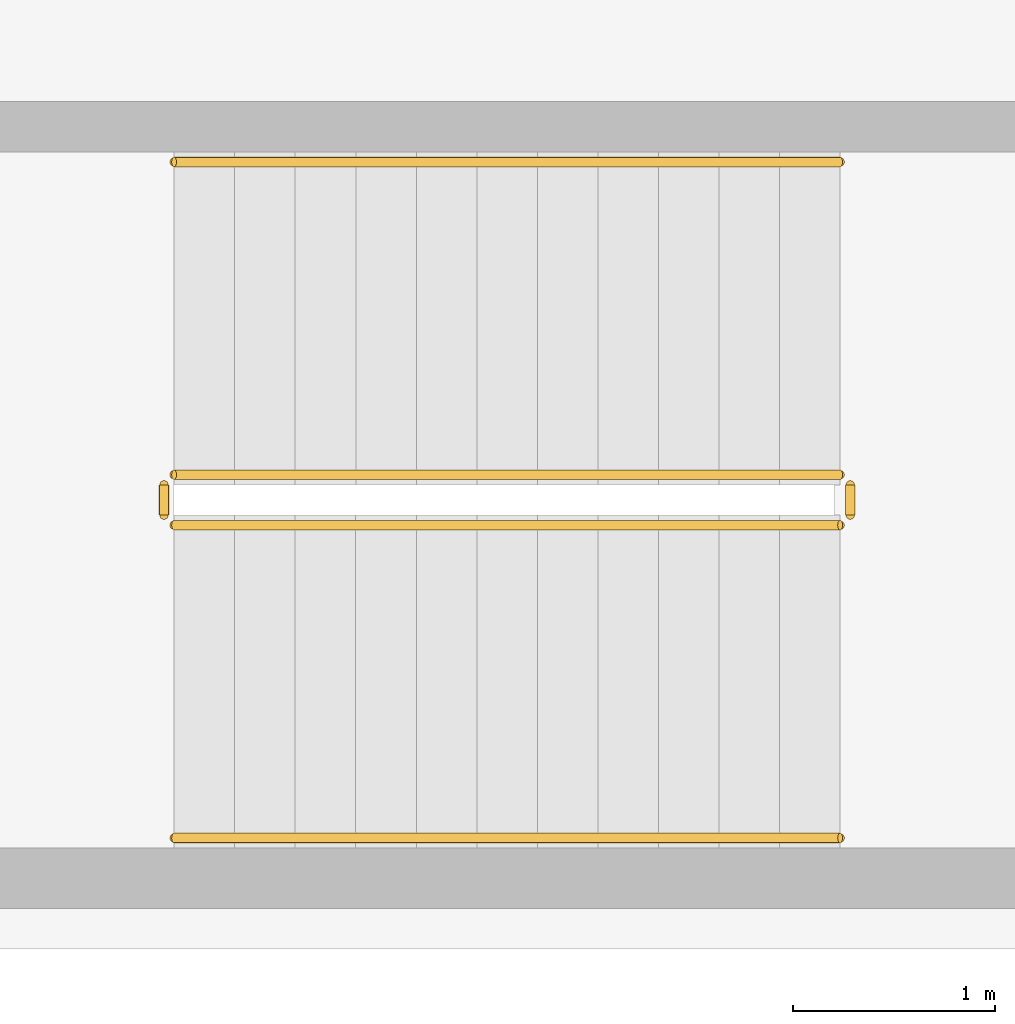
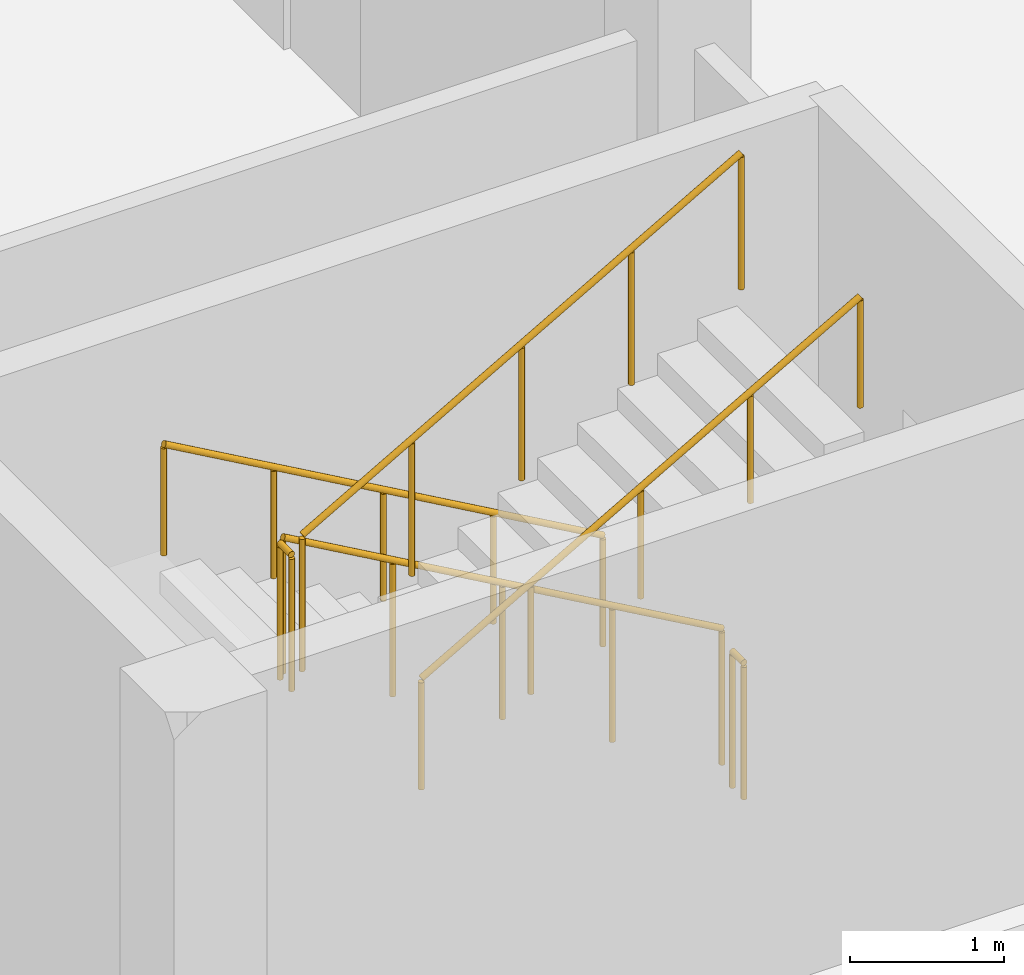
# One storey, part 37 of 42: 6 railings.
"""IFC4 building model written with IfcOpenShell, lengths in metres."""

from ifc_helpers import new_model, si_unit, direction, frame, origin, origin_2d, place, context, subcontext, project, spatial, circle, extrude, material, type_object, element, save


model = new_model("IFC4")

# Units and contexts
model_context = context("Model", 3, precision=1e-05, world=origin(), true_north=direction((0.0, 1.0)))
body_context = subcontext(model_context, "Body", "Model", "MODEL_VIEW")
ifc_project = project(units=[si_unit("LENGTHUNIT", "METRE"), si_unit("AREAUNIT", "SQUARE_METRE"), si_unit("VOLUMEUNIT", "CUBIC_METRE"), si_unit("PLANEANGLEUNIT", "RADIAN"), si_unit("MASSUNIT", "GRAM", prefix="KILO")], contexts=[model_context])

# Site, building, storey
site_placement = place(None, origin())
site = spatial("IfcSite", under=ifc_project, at=site_placement, CompositionType="ELEMENT")
building_placement = place(site_placement, origin())
building = spatial("IfcBuilding", under=site, at=building_placement, Name="Corbel Stack Research Tower", CompositionType="ELEMENT")
storey_placement = place(building_placement, frame((0.0, 0.0, 11.300048828125)))
storey = spatial("IfcBuildingStorey", under=building, at=storey_placement, Name="L02", CompositionType="ELEMENT", Elevation=11.300048828125)

# Railings
ifc_material_1 = material(Name="Steel S235", Category="steel")
railing_type_1 = type_object("IfcRailingType", Name="HR1 guard 1100", PredefinedType="GUARDRAIL", material=ifc_material_1)
railing_1_placement = place(storey_placement, frame((42.425048828125, -21.64990234375, 0.1708984375)))
element("IfcRailing", 1, at=railing_1_placement, inside=storey, type_object=railing_type_1, Name="L02 HS1 stair guard 1", PredefinedType="GUARDRAIL", context=body_context, shape_type="SweptSolid", body=[
    extrude(circle(Radius=0.02392578125, at=origin_2d()), frame((0.0, 0.0, 1.076171875), z_axis=(-0.868989882718, 0.0, 0.494829853317), x_axis=(0.0, -1.0, 0.0)), (0.0, 0.0, 1.0), 3.797607421875),
    extrude(circle(Radius=0.02099609375, at=origin_2d()), origin(), (0.0, 0.0, 1.0), 1.052001953125),
    extrude(circle(Radius=0.02099609375, at=origin_2d()), frame((-0.824951171875, 0.0, 0.4697265625)), (0.0, 0.0, 1.0), 1.052001953125),
    extrude(circle(Radius=0.02099609375, at=origin_2d()), frame((-1.64990234375, 0.0, 0.939453125)), (0.0, 0.0, 1.0), 1.052001953125),
    extrude(circle(Radius=0.02099609375, at=origin_2d()), frame((-2.47509765625, 0.0, 1.409423828125)), (0.0, 0.0, 1.0), 1.052001953125),
    extrude(circle(Radius=0.02099609375, at=origin_2d()), frame((-3.300048828125, 0.0, 1.879150390625)), (0.0, 0.0, 1.0), 1.052001953125),
])
railing_2_placement = place(storey_placement, frame((39.074951171875, -21.699951171875, 2.050048828125)))
element("IfcRailing", 2, at=railing_2_placement, inside=storey, type_object=railing_type_1, Name="L02 HS1 stair guard 2", PredefinedType="GUARDRAIL", context=body_context, shape_type="SweptSolid", body=[
    extrude(circle(Radius=0.02392578125, at=origin_2d()), frame((0.0, 0.0, 1.076171875), z_axis=(0.0, -1.0, 0.0), x_axis=(1.0, 0.0, 0.0)), (0.0, 0.0, 1.0), 0.150146484375),
    extrude(circle(Radius=0.02099609375, at=origin_2d()), origin(), (0.0, 0.0, 1.0), 1.052001953125),
    extrude(circle(Radius=0.02099609375, at=origin_2d()), frame((0.0, -0.150146484375, 0.0)), (0.0, 0.0, 1.0), 1.052001953125),
])
railing_3_placement = place(storey_placement, frame((39.125, -21.89990234375, 2.220703125)))
element("IfcRailing", 3, at=railing_3_placement, inside=storey, type_object=railing_type_1, Name="L02 HS1 stair guard 3", PredefinedType="GUARDRAIL", context=body_context, shape_type="SweptSolid", body=[
    extrude(circle(Radius=0.02392578125, at=origin_2d()), frame((0.0, 0.0, 1.076171875), z_axis=(0.868989882718, 0.0, 0.494829853317), x_axis=(0.0, 1.0, 0.0)), (0.0, 0.0, 1.0), 3.797607421875),
    extrude(circle(Radius=0.02099609375, at=origin_2d()), origin(), (0.0, 0.0, 1.0), 1.052001953125),
    extrude(circle(Radius=0.02099609375, at=origin_2d()), frame((0.824951171875, 0.0, 0.4697265625)), (0.0, 0.0, 1.0), 1.052001953125),
    extrude(circle(Radius=0.02099609375, at=origin_2d()), frame((1.64990234375, 0.0, 0.939453125)), (0.0, 0.0, 1.0), 1.052001953125),
    extrude(circle(Radius=0.02099609375, at=origin_2d()), frame((2.47509765625, 0.0, 1.409423828125)), (0.0, 0.0, 1.0), 1.052001953125),
    extrude(circle(Radius=0.02099609375, at=origin_2d()), frame((3.300048828125, 0.0, 1.879150390625)), (0.0, 0.0, 1.0), 1.052001953125),
])
railing_4_placement = place(storey_placement, frame((42.47509765625, -21.699951171875, 0.0)))
element("IfcRailing", 4, at=railing_4_placement, inside=storey, type_object=railing_type_1, Name="L02 HS1 stair guard 4", PredefinedType="GUARDRAIL", context=body_context, shape_type="SweptSolid", body=[
    extrude(circle(Radius=0.02392578125, at=origin_2d()), frame((0.0, 0.0, 1.076171875), z_axis=(0.0, -1.0, 0.0), x_axis=(1.0, 0.0, 0.0)), (0.0, 0.0, 1.0), 0.150146484375),
    extrude(circle(Radius=0.02099609375, at=origin_2d()), origin(), (0.0, 0.0, 1.0), 1.052001953125),
    extrude(circle(Radius=0.02099609375, at=origin_2d()), frame((0.0, -0.150146484375, 0.0)), (0.0, 0.0, 1.0), 1.052001953125),
])
ifc_material_2 = material(Name="Steel S235", Category="steel")
railing_type_2 = type_object("IfcRailingType", Name="HR2 handrail 900", PredefinedType="HANDRAIL", material=ifc_material_2)
railing_5_placement = place(storey_placement, frame((42.425048828125, -20.10009765625, 0.1708984375)))
element("IfcRailing", 5, at=railing_5_placement, inside=storey, type_object=railing_type_2, Name="L02 HS1 stair handrail 1", PredefinedType="HANDRAIL", context=body_context, shape_type="SweptSolid", body=[
    extrude(circle(Radius=0.02392578125, at=origin_2d()), frame((0.0, 0.0, 0.8759765625), z_axis=(-0.868989882718, 0.0, 0.494829853317), x_axis=(0.0, -1.0, 0.0)), (0.0, 0.0, 1.0), 3.797607421875),
    extrude(circle(Radius=0.02099609375, at=origin_2d()), origin(), (0.0, 0.0, 1.0), 0.851806640625),
    extrude(circle(Radius=0.02099609375, at=origin_2d()), frame((-0.824951171875, 0.0, 0.4697265625)), (0.0, 0.0, 1.0), 0.851806640625),
    extrude(circle(Radius=0.02099609375, at=origin_2d()), frame((-1.64990234375, 0.0, 0.939453125)), (0.0, 0.0, 1.0), 0.851806640625),
    extrude(circle(Radius=0.02099609375, at=origin_2d()), frame((-2.47509765625, 0.0, 1.409423828125)), (0.0, 0.0, 1.0), 0.851806640625),
    extrude(circle(Radius=0.02099609375, at=origin_2d()), frame((-3.300048828125, 0.0, 1.879150390625)), (0.0, 0.0, 1.0), 0.851806640625),
])
railing_6_placement = place(storey_placement, frame((39.125, -23.449951171875, 2.220703125)))
element("IfcRailing", 6, at=railing_6_placement, inside=storey, type_object=railing_type_2, Name="L02 HS1 stair handrail 2", PredefinedType="HANDRAIL", context=body_context, shape_type="SweptSolid", body=[
    extrude(circle(Radius=0.02392578125, at=origin_2d()), frame((0.0, 0.0, 0.8759765625), z_axis=(0.868989882718, 0.0, 0.494829853317), x_axis=(0.0, 1.0, 0.0)), (0.0, 0.0, 1.0), 3.797607421875),
    extrude(circle(Radius=0.02099609375, at=origin_2d()), origin(), (0.0, 0.0, 1.0), 0.851806640625),
    extrude(circle(Radius=0.02099609375, at=origin_2d()), frame((0.824951171875, 0.0, 0.4697265625)), (0.0, 0.0, 1.0), 0.851806640625),
    extrude(circle(Radius=0.02099609375, at=origin_2d()), frame((1.64990234375, 0.0, 0.939453125)), (0.0, 0.0, 1.0), 0.851806640625),
    extrude(circle(Radius=0.02099609375, at=origin_2d()), frame((2.47509765625, 0.0, 1.409423828125)), (0.0, 0.0, 1.0), 0.851806640625),
    extrude(circle(Radius=0.02099609375, at=origin_2d()), frame((3.300048828125, 0.0, 1.879150390625)), (0.0, 0.0, 1.0), 0.851806640625),
])

save(model, "model.ifc")
